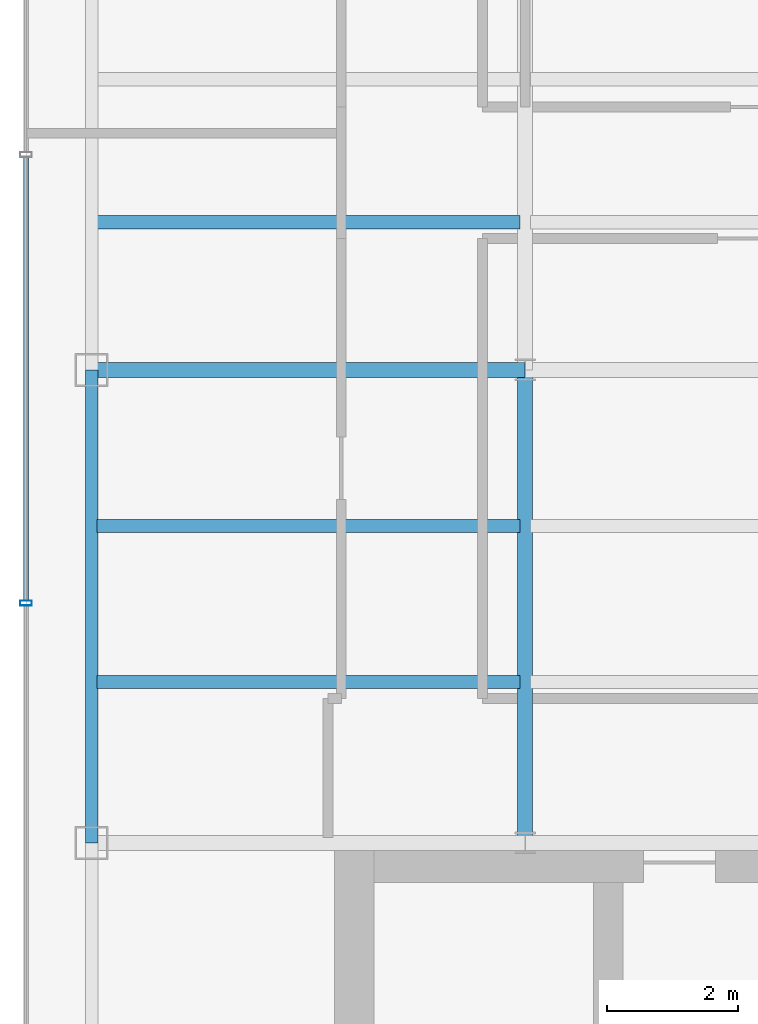
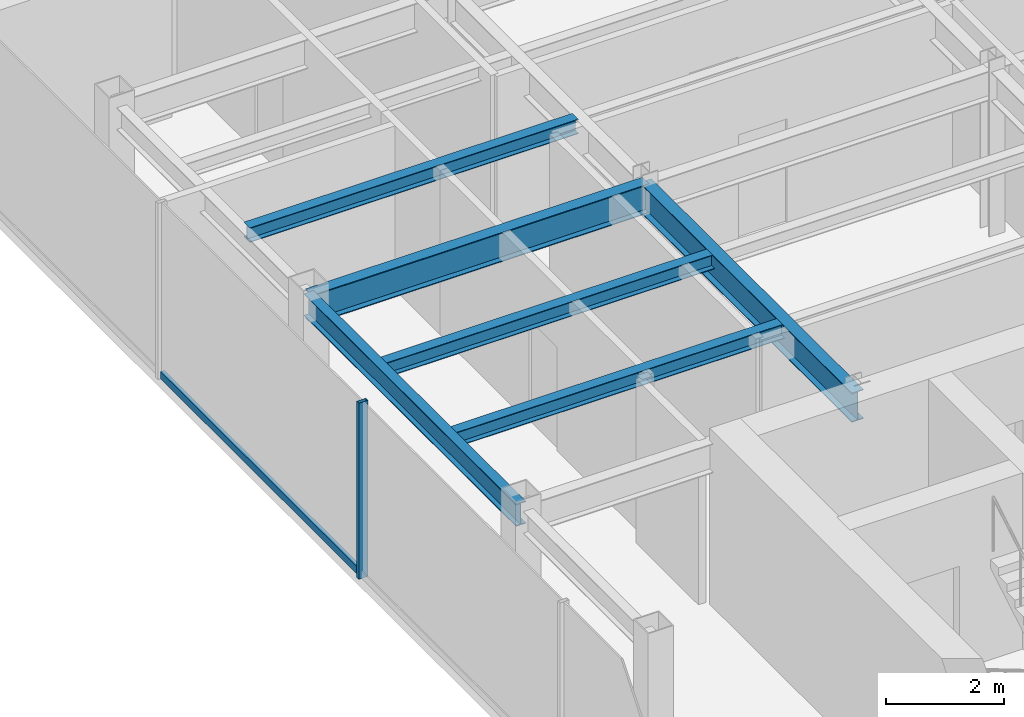
# One storey, part 5 of 22: 6 beams, 2 members, 1 element without a shape of its own.
"""IFC4 building model written with IfcOpenShell, lengths in metres."""

from ifc_helpers import new_model, si_unit, derived_unit, direction, frame, origin, origin_2d, place, context, subcontext, project, spatial, hollow_rectangle, i_section, extrude, source, transform, mapped, material, material_profile, profile_set, type_object, element, aggregate, save


model = new_model("IFC4")

# Units and contexts
model_context = context("Model", 3, precision=1e-05, world=origin(), true_north=direction((0.0, 1.0)))
body_context = subcontext(model_context, "Body", "Model", "MODEL_VIEW")
ifc_project = project(units=[si_unit("LENGTHUNIT", "METRE"), si_unit("AREAUNIT", "SQUARE_METRE"), si_unit("VOLUMEUNIT", "CUBIC_METRE"), si_unit("PLANEANGLEUNIT", "RADIAN"), si_unit("MASSUNIT", "GRAM", prefix="KILO"), derived_unit("THERMALTRANSMITTANCEUNIT", [(si_unit("POWERUNIT", "WATT"), 1), (si_unit("LENGTHUNIT", "METRE"), -2), (si_unit("THERMODYNAMICTEMPERATUREUNIT", "KELVIN"), -1)])], contexts=[model_context])

# Site, building, storey
site_placement = place(None, origin())
site = spatial("IfcSite", under=ifc_project, at=site_placement, CompositionType="ELEMENT")
building_placement = place(site_placement, origin())
building = spatial("IfcBuilding", under=site, at=building_placement, Name="Skarnbrae Concourse Arena and Tower", CompositionType="ELEMENT")
storey_placement = place(building_placement, frame((0.0, 0.0, 273.39990234375)))
storey = spatial("IfcBuildingStorey", under=building, at=storey_placement, Name="L71", CompositionType="ELEMENT", Elevation=273.39990234375)

# Beams
ifc_material_1 = material(Name="Steel CSA G40.21 350W", Category="steel")
ifc_material_profile_1 = material_profile(ifc_material_1, i_section(OverallWidth=0.22802734375, OverallDepth=0.60791015625, WebThickness=0.01123046875, FlangeThickness=0.017333984375, at=origin_2d()), Name="W610X113")
ifc_profile_set_1 = profile_set([ifc_material_profile_1], Name="Steel CSA G40.21 350W")
beam_type_1 = type_object("IfcBeamType", Name="BM-GIRD-W610X113", PredefinedType="BEAM", material=ifc_profile_set_1)
shared_shape_1 = source(origin(), body_context, "Body", "SweptSolid", [
    extrude(i_section(OverallWidth=0.22802734375, OverallDepth=0.60791015625, WebThickness=0.01123046875, FlangeThickness=0.017333984375, at=origin_2d()), origin(), (0.0, 0.0, 1.0), 6.60009765625),
])
beam_1_placement = place(storey_placement, frame((1.0, 21.199951171875, 3.09619140625), z_axis=(1.0, 0.0, 0.0), x_axis=(0.0, 1.0, 0.0)))
element("IfcBeam", 1, at=beam_1_placement, inside=storey, type_object=beam_type_1, Name="L71 Primary E-W girder Y21.2-1", PredefinedType="BEAM", context=body_context, shape_type="MappedRepresentation", body=[
    mapped(shared_shape_1, transform((0.0, 0.0, 0.0))),
])
ifc_material_profile_2 = material_profile(ifc_material_1, i_section(OverallWidth=0.19091796875, OverallDepth=0.4599609375, WebThickness=0.010009765625, FlangeThickness=0.01611328125, at=origin_2d()), Name="W460X82")
ifc_profile_set_2 = profile_set([ifc_material_profile_2], Name="Steel CSA G40.21 350W")
beam_type_2 = type_object("IfcBeamType", Name="BM-SPAN-W460X82", PredefinedType="SPANDREL", material=ifc_profile_set_2)
shared_shape_2 = source(origin(), body_context, "Body", "SweptSolid", [
    extrude(i_section(OverallWidth=0.19091796875, OverallDepth=0.4599609375, WebThickness=0.010009765625, FlangeThickness=0.01611328125, at=origin_2d()), origin(), (0.0, 0.0, 1.0), 7.199951171875),
])
beam_2_placement = place(storey_placement, frame((1.0, 14.0, 3.170166015625), z_axis=(0.0, 1.0, 0.0), x_axis=(-1.0, 0.0, 0.0)))
element("IfcBeam", 2, at=beam_2_placement, inside=storey, type_object=beam_type_2, Name="L71 Perimeter spandrel X1.0-2", PredefinedType="SPANDREL", context=body_context, shape_type="MappedRepresentation", body=[
    mapped(shared_shape_2, transform((0.0, 0.0, 0.0))),
])
shared_shape_3 = source(origin(), body_context, "Body", "SweptSolid", [
    extrude(i_section(OverallWidth=0.22802734375, OverallDepth=0.60791015625, WebThickness=0.01123046875, FlangeThickness=0.017333984375, at=origin_2d()), origin(), (0.0, 0.0, 1.0), 7.199951171875),
])
beam_3_placement = place(storey_placement, frame((7.60009765625, 14.0, 3.09619140625), z_axis=(0.0, 1.0, 0.0), x_axis=(-1.0, 0.0, 0.0)))
element("IfcBeam", 3, at=beam_3_placement, inside=storey, type_object=beam_type_1, Name="L71 Primary N-S girder X7.6-1", PredefinedType="BEAM", context=body_context, shape_type="MappedRepresentation", body=[
    mapped(shared_shape_3, transform((0.0, 0.0, 0.0))),
])
ifc_material_profile_3 = material_profile(ifc_material_1, i_section(OverallWidth=0.202880859375, OverallDepth=0.302978515625, WebThickness=0.007568359375, FlangeThickness=0.01318359375, at=origin_2d()), Name="W310X60")
ifc_profile_set_3 = profile_set([ifc_material_profile_3], Name="Steel CSA G40.21 350W")
beam_type_3 = type_object("IfcBeamType", Name="BM-JOIST-W310X60", PredefinedType="JOIST", material=ifc_profile_set_3)
shared_shape_4 = source(origin(), body_context, "Body", "SweptSolid", [
    extrude(i_section(OverallWidth=0.202880859375, OverallDepth=0.302978515625, WebThickness=0.007568359375, FlangeThickness=0.01318359375, at=origin_2d()), origin(), (0.0, 0.0, 1.0), 6.43994140625),
])
for number, where, z_axis, x_axis, name in (
    (4, (1.080078125, 16.447998046875, 3.24853515625), (1.0, 0.0, 0.0), (0.0, 1.0, 0.0), "L71 Secondary floor joist 1.1.1"),
    (5, (1.080078125, 18.823974609375, 3.24853515625), (1.0, 0.0, 0.0), (0.0, 1.0, 0.0), "L71 Secondary floor joist 1.2.1"),
    (6, (1.080078125, 23.444091796875, 3.24853515625), (1.0, 0.0, 0.0), (0.0, 1.0, 0.0), "L71 Secondary floor joist 2.1.1"),
):
    element("IfcBeam", number, at=place(storey_placement, frame(where, z_axis=z_axis, x_axis=x_axis)), inside=storey, type_object=beam_type_3, Name=name, PredefinedType="JOIST", context=body_context, shape_type="MappedRepresentation", body=[
        mapped(shared_shape_4, transform((0.0, 0.0, 0.0))),
    ])

# Curtain wall, members
ifc_material_2 = material(Name="Bronze anodised aluminium 6063-T6", Category="aluminium")
curtain_wall_type = type_object("IfcCurtainWallType", Name="CW-SYS-05-HIGHZONE", PredefinedType="USERDEFINED", material=ifc_material_2)
curtain_wall_placement = place(storey_placement, origin())
curtain_wall = element("IfcCurtainWall", 7, at=curtain_wall_placement, inside=storey, type_object=curtain_wall_type, Name="L71 Unitised curtain wall CW-L71-E18", ObjectType="UNITISED CURTAIN WALL", PredefinedType="USERDEFINED")
ifc_material_profile_4 = material_profile(ifc_material_2, hollow_rectangle(XDim=0.074951171875, YDim=0.14990234375, WallThickness=0.00390625, at=origin_2d()), Name="ALU-TRAN-75X150")
ifc_profile_set_4 = profile_set([ifc_material_profile_4], Name="Bronze anodised aluminium 6063-T6")
member_type_1 = type_object("IfcMemberType", Name="CWT-CW-05", PredefinedType="USERDEFINED", material=ifc_profile_set_4)
shared_shape_5 = source(origin(), body_context, "Body", "SweptSolid", [
    extrude(hollow_rectangle(XDim=0.074951171875, YDim=0.14990234375, WallThickness=0.00390625, at=origin_2d()), origin(), (0.0, 0.0, 1.0), 6.75),
])
member_1_placement = place(storey_placement, frame((0.0, 24.4375, 0.0751953125), z_axis=(0.0, -1.0, 0.0), x_axis=(1.0, 0.0, 0.0)))
member_1 = element("IfcMember", 8, at=member_1_placement, type_object=member_type_1, Name="CW-L71-E18 Transom 2", ObjectType="TRANSOM", PredefinedType="USERDEFINED", context=body_context, shape_type="MappedRepresentation", body=[
    mapped(shared_shape_5, transform((0.0, 0.0, 0.0))),
])
ifc_material_profile_5 = material_profile(ifc_material_2, hollow_rectangle(XDim=0.074951171875, YDim=0.179931640625, WallThickness=0.00390625, at=origin_2d()), Name="ALU-MULL-75X180")
ifc_profile_set_5 = profile_set([ifc_material_profile_5], Name="Bronze anodised aluminium 6063-T6")
member_type_2 = type_object("IfcMemberType", Name="CWM-CW-05", PredefinedType="MULLION", material=ifc_profile_set_5)
shared_shape_6 = source(origin(), body_context, "Body", "SweptSolid", [
    extrude(hollow_rectangle(XDim=0.074951171875, YDim=0.179931640625, WallThickness=0.00390625, at=origin_2d()), origin(), (0.0, 0.0, 1.0), 3.650146484375),
])
member_2_placement = place(storey_placement, frame((0.0, 17.64990234375, 0.0), z_axis=(0.0, 0.0, 1.0), x_axis=(0.0, -1.0, 0.0)))
member_2 = element("IfcMember", 9, at=member_2_placement, type_object=member_type_2, Name="CW-L71-E18 Mullion 3", PredefinedType="MULLION", context=body_context, shape_type="MappedRepresentation", body=[
    mapped(shared_shape_6, transform((0.0, 0.0, 0.0))),
])
aggregate(curtain_wall, [member_2, member_1])

save(model, "model.ifc")
